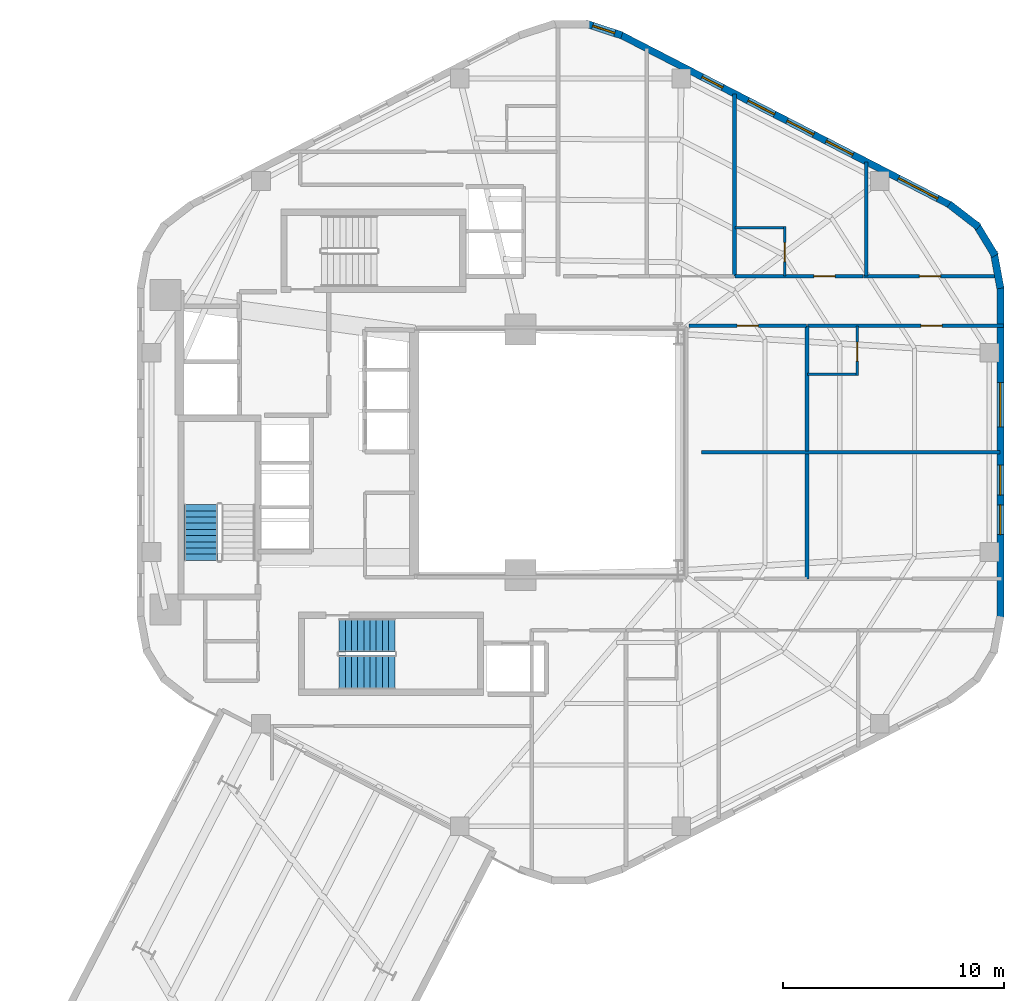
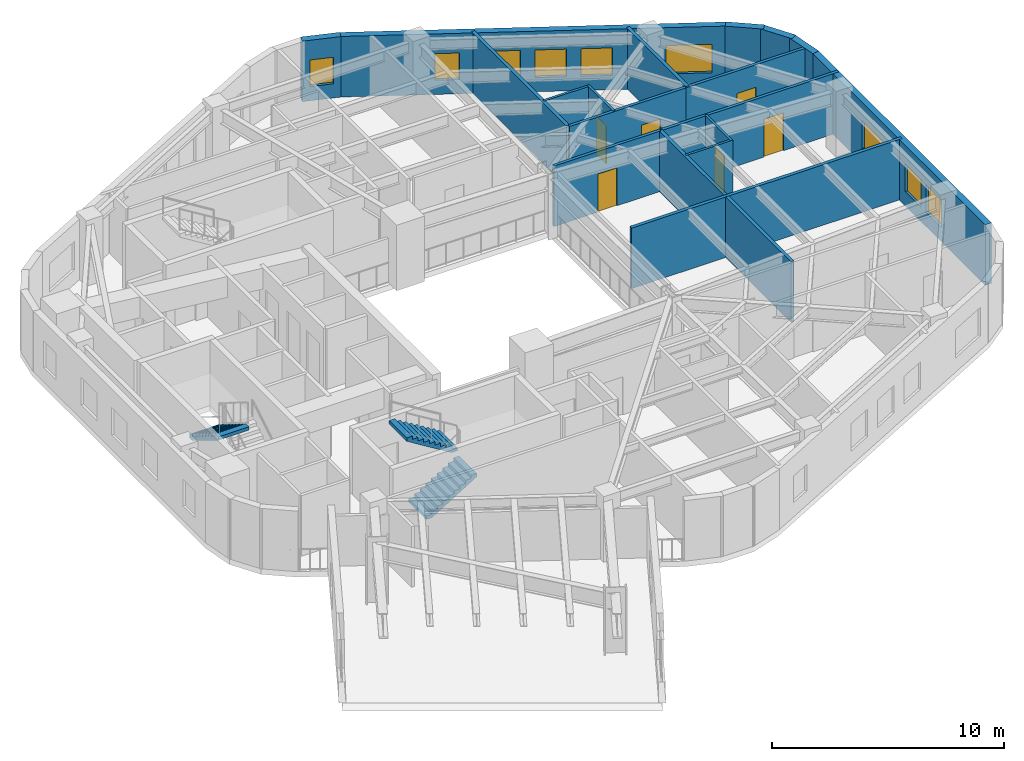
# One storey, part 8 of 10: 19 walls, 9 windows, 6 doors, 3 stair flights, 15 openings, 2 elements without a shape of their own.
"""IFC4 building model written with IfcOpenShell, lengths in metres."""

from ifc_helpers import new_model, si_unit, direction, frame, frame_2d, origin, place, context, subcontext, project, spatial, polyline, rectangle, outline, extrude, material, layer, layer_set, type_object, element, fill, aggregate, save


model = new_model("IFC4")

# Units and contexts
model_context = context("Model", 3, precision=1e-05, world=origin(), true_north=direction((0.0, 1.0)))
body_context = subcontext(model_context, "Body", "Model", "MODEL_VIEW")
ifc_project = project(units=[si_unit("LENGTHUNIT", "METRE"), si_unit("AREAUNIT", "SQUARE_METRE"), si_unit("VOLUMEUNIT", "CUBIC_METRE"), si_unit("PLANEANGLEUNIT", "RADIAN"), si_unit("MASSUNIT", "GRAM", prefix="KILO"), si_unit("THERMODYNAMICTEMPERATUREUNIT", "KELVIN"), si_unit("POWERUNIT", "WATT")], contexts=[model_context])

# Site, building, storey
site_placement = place(None, origin())
site = spatial("IfcSite", under=ifc_project, at=site_placement, CompositionType="ELEMENT")
building_placement = place(site_placement, origin())
building = spatial("IfcBuilding", under=site, at=building_placement, Name="Skarre Station Tower", CompositionType="ELEMENT")
storey_placement = place(building_placement, frame((0.0, 0.0, 180.89990234375)))
storey = spatial("IfcBuildingStorey", under=building, at=storey_placement, Name="L49", CompositionType="ELEMENT", Elevation=180.89990234375)

# Wall, opening, door
ifc_material_1 = material(Name="Acoustic Steel-Stud Gypsum Partition", Category="steel")
ifc_layer_1 = layer(ifc_material_1, 0.14990234375, Name="Acoustic Steel-Stud Gypsum Partition")
ifc_layer_set_1 = layer_set([ifc_layer_1], Name="Acoustic Steel-Stud Gypsum Partition")
wall_type_1 = type_object("IfcWallType", Name="Fire-Rated Corridor Acoustic Partition 150", PredefinedType="PARTITIONING", material=ifc_layer_set_1)
wall_1_placement = place(storey_placement, frame((47.824951171875, 31.9599609375, 0.0), z_axis=(0.0, 0.0, 1.0), x_axis=(-1.0, 0.0, 0.0)))
wall_1 = element("IfcWall", 1, at=wall_1_placement, inside=storey, type_object=wall_type_1, Name="L49 Interior Partition WL-PT-L49-NW3-CW", PredefinedType="PARTITIONING", context=body_context, shape_type="SweptSolid", body=[
    extrude(rectangle(XDim=5.801025390625, YDim=0.14990234375, at=frame_2d((2.900390625, 0.0))), origin(), (0.0, 0.0, 1.0), 3.190185546875),
])
opening_1_placement = place(wall_1_placement, frame((1.263916015625, 0.0, 0.0)))
opening_1 = element("IfcOpeningElement", 2, at=opening_1_placement, cuts=wall_1, Name="Opening DR-FD60", PredefinedType="OPENING", context=body_context, shape_type="SweptSolid", body=[
    extrude(rectangle(XDim=0.9599609375, YDim=2.0, at=frame_2d((0.47998046875, 1.0))), frame((0.0, 0.0849609375, 0.0), z_axis=(0.0, -1.0, 0.0), x_axis=(1.0, 0.0, 0.0)), (0.0, 0.0, 1.0), 0.169921875),
])
ifc_material_2 = material(Name="Nordic White-Oak Veneer Solid-Core Fire Leaf", Category="wood")
door_type_1 = type_object("IfcDoorType", Name="Corridor Suite Entry Fire Door FD60 960x2150", OperationType="SINGLE_SWING_LEFT", PredefinedType="DOOR", material=ifc_material_2)
door_1_placement = place(opening_1_placement, origin())
door_1 = element("IfcDoor", 3, at=door_1_placement, inside=storey, type_object=door_type_1, Name="L49 NW3 Entry Door", OperationType="SINGLE_SWING_LEFT", OverallHeight=2.0, OverallWidth=0.9599609375, PredefinedType="DOOR", context=body_context, shape_type="SweptSolid", body=[
    extrude(rectangle(XDim=0.9599609375, YDim=2.0, at=frame_2d((0.47998046875, 1.0))), frame((0.0, 0.02490234375, 0.0), z_axis=(0.0, -1.0, 0.0), x_axis=(1.0, 0.0, 0.0)), (0.0, 0.0, 1.0), 0.050048828125),
])
fill(opening_1, door_1)

wall_2_placement = place(storey_placement, frame((53.969970703125, 31.9599609375, 0.0), z_axis=(0.0, 0.0, 1.0), x_axis=(-1.0, 0.0, 0.0)))
wall_2 = element("IfcWall", 4, at=wall_2_placement, inside=storey, type_object=wall_type_1, Name="L49 Interior Partition WL-PT-L49-NW4-CW", PredefinedType="PARTITIONING", context=body_context, shape_type="SweptSolid", body=[
    extrude(rectangle(XDim=6.135009765625, YDim=0.14990234375, at=frame_2d((3.0673828125, 0.0))), origin(), (0.0, 0.0, 1.0), 3.190185546875),
])
opening_2_placement = place(wall_2_placement, frame((2.64404296875, 0.0, 0.0)))
opening_2 = element("IfcOpeningElement", 5, at=opening_2_placement, cuts=wall_2, Name="Opening DR-FD60", PredefinedType="OPENING", context=body_context, shape_type="SweptSolid", body=[
    extrude(rectangle(XDim=0.9599609375, YDim=2.0, at=frame_2d((0.47998046875, 1.0))), frame((0.0, 0.0849609375, 0.0), z_axis=(0.0, -1.0, 0.0), x_axis=(1.0, 0.0, 0.0)), (0.0, 0.0, 1.0), 0.169921875),
])
door_2_placement = place(opening_2_placement, origin())
door_2 = element("IfcDoor", 6, at=door_2_placement, inside=storey, type_object=door_type_1, Name="L49 NW4 Entry Door", OperationType="SINGLE_SWING_LEFT", OverallHeight=2.0, OverallWidth=0.9599609375, PredefinedType="DOOR", context=body_context, shape_type="SweptSolid", body=[
    extrude(rectangle(XDim=0.9599609375, YDim=2.0, at=frame_2d((0.47998046875, 1.0))), frame((0.0, 0.02490234375, 0.0), z_axis=(0.0, -1.0, 0.0), x_axis=(1.0, 0.0, 0.0)), (0.0, 0.0, 1.0), 0.050048828125),
])
fill(opening_2, door_2)

wall_3_placement = place(storey_placement, frame((39.949951171875, 29.7099609375, 0.0), z_axis=(0.0, 0.0, 1.0), x_axis=(1.0, 0.0, 0.0)))
wall_3 = element("IfcWall", 7, at=wall_3_placement, inside=storey, type_object=wall_type_1, Name="L49 Interior Partition WL-PT-L49-EWN1-CW", PredefinedType="PARTITIONING", context=body_context, shape_type="SweptSolid", body=[
    extrude(rectangle(XDim=5.321044921875, YDim=0.14990234375, at=frame_2d((2.66064453125, 0.0))), origin(), (0.0, 0.0, 1.0), 3.190185546875),
])
opening_3_placement = place(wall_3_placement, frame((2.179931640625, 0.0, 0.0)))
opening_3 = element("IfcOpeningElement", 8, at=opening_3_placement, cuts=wall_3, Name="Opening DR-FD60", PredefinedType="OPENING", context=body_context, shape_type="SweptSolid", body=[
    extrude(rectangle(XDim=0.9599609375, YDim=2.0, at=frame_2d((0.47998046875, 1.0))), frame((0.0, 0.0849609375, 0.0), z_axis=(0.0, -1.0, 0.0), x_axis=(1.0, 0.0, 0.0)), (0.0, 0.0, 1.0), 0.169921875),
])
door_3_placement = place(opening_3_placement, origin())
door_3 = element("IfcDoor", 9, at=door_3_placement, inside=storey, type_object=door_type_1, Name="L49 EWN1 Entry Door", OperationType="SINGLE_SWING_LEFT", OverallHeight=2.0, OverallWidth=0.9599609375, PredefinedType="DOOR", context=body_context, shape_type="SweptSolid", body=[
    extrude(rectangle(XDim=0.9599609375, YDim=2.0, at=frame_2d((0.47998046875, 1.0))), frame((0.0, 0.02490234375, 0.0), z_axis=(0.0, -1.0, 0.0), x_axis=(1.0, 0.0, 0.0)), (0.0, 0.0, 1.0), 0.050048828125),
])
fill(opening_3, door_3)

wall_4_placement = place(storey_placement, frame((45.301025390625, 29.7099609375, 0.0), z_axis=(0.0, 0.0, 1.0), x_axis=(1.0, 0.0, 0.0)))
wall_4 = element("IfcWall", 10, at=wall_4_placement, inside=storey, type_object=wall_type_1, Name="L49 Interior Partition WL-PT-L49-EWN2-CW", PredefinedType="PARTITIONING", context=body_context, shape_type="SweptSolid", body=[
    extrude(rectangle(XDim=8.861083984375, YDim=0.14990234375, at=frame_2d((4.4306640625, 0.0))), origin(), (0.0, 0.0, 1.0), 3.190185546875),
])
opening_4_placement = place(wall_4_placement, frame((5.125, 0.0, 0.0)))
opening_4 = element("IfcOpeningElement", 11, at=opening_4_placement, cuts=wall_4, Name="Opening DR-FD60", PredefinedType="OPENING", context=body_context, shape_type="SweptSolid", body=[
    extrude(rectangle(XDim=0.9599609375, YDim=2.0, at=frame_2d((0.47998046875, 1.0))), frame((0.0, 0.0849609375, 0.0), z_axis=(0.0, -1.0, 0.0), x_axis=(1.0, 0.0, 0.0)), (0.0, 0.0, 1.0), 0.169921875),
])
door_4_placement = place(opening_4_placement, origin())
door_4 = element("IfcDoor", 12, at=door_4_placement, inside=storey, type_object=door_type_1, Name="L49 EWN2 Entry Door", OperationType="SINGLE_SWING_LEFT", OverallHeight=2.0, OverallWidth=0.9599609375, PredefinedType="DOOR", context=body_context, shape_type="SweptSolid", body=[
    extrude(rectangle(XDim=0.9599609375, YDim=2.0, at=frame_2d((0.47998046875, 1.0))), frame((0.0, 0.02490234375, 0.0), z_axis=(0.0, -1.0, 0.0), x_axis=(1.0, 0.0, 0.0)), (0.0, 0.0, 1.0), 0.050048828125),
])
fill(opening_4, door_4)

ifc_material_3 = material(Name="Insulated Timber-Stud Gypsum Partition", Category="wood")
ifc_layer_2 = layer(ifc_material_3, 0.1201171875, Name="Insulated Timber-Stud Gypsum Partition")
ifc_layer_set_2 = layer_set([ifc_layer_2], Name="Insulated Timber-Stud Gypsum Partition")
wall_type_2 = type_object("IfcWallType", Name="Internal Suite Acoustic Partition 120", PredefinedType="PARTITIONING", material=ifc_layer_set_2)
wall_5_placement = place(storey_placement, frame((44.283935546875, 31.9599609375, 0.0), z_axis=(0.0, 0.0, 1.0), x_axis=(0.0, 1.0, 0.0)))
wall_5 = element("IfcWall", 13, at=wall_5_placement, inside=storey, type_object=wall_type_2, Name="L49 Interior Partition WL-PT-L49-NW3-EW2", PredefinedType="PARTITIONING", context=body_context, shape_type="SweptSolid", body=[
    extrude(rectangle(XDim=2.239990234375, YDim=0.1201171875, at=frame_2d((1.1201171875, 0.0))), origin(), (0.0, 0.0, 1.0), 3.190185546875),
])
opening_5_placement = place(wall_5_placement, frame((0.64990234375, 0.0, 0.0)))
opening_5 = element("IfcOpeningElement", 14, at=opening_5_placement, cuts=wall_5, Name="Opening DR-INT86", PredefinedType="OPENING", context=body_context, shape_type="SweptSolid", body=[
    extrude(rectangle(XDim=0.860107421875, YDim=2.0, at=frame_2d((0.43017578125, 1.0))), frame((0.0, 0.070068359375, 0.0), z_axis=(0.0, -1.0, 0.0), x_axis=(1.0, 0.0, 0.0)), (0.0, 0.0, 1.0), 0.14013671875),
])
ifc_material_4 = material(Name="Nordic Birch Acoustic Solid-Core Timber Leaf", Category="wood")
door_type_2 = type_object("IfcDoorType", Name="Internal En-Suite & Bedroom Door 860x2100", OperationType="SINGLE_SWING_LEFT", PredefinedType="DOOR", material=ifc_material_4)
door_5_placement = place(opening_5_placement, origin())
door_5 = element("IfcDoor", 15, at=door_5_placement, inside=storey, type_object=door_type_2, Name="L49 NW3 En-suite Door", OperationType="SINGLE_SWING_LEFT", OverallHeight=2.0, OverallWidth=0.860107421875, PredefinedType="DOOR", context=body_context, shape_type="SweptSolid", body=[
    extrude(rectangle(XDim=0.860107421875, YDim=2.0, at=frame_2d((0.43017578125, 1.0))), frame((0.0, 0.02490234375, 0.0), z_axis=(0.0, -1.0, 0.0), x_axis=(1.0, 0.0, 0.0)), (0.0, 0.0, 1.0), 0.050048828125),
])
fill(opening_5, door_5)

# Wall
wall_6_placement = place(storey_placement, frame((44.343994140625, 34.139892578125, 0.0), z_axis=(0.0, 0.0, 1.0), x_axis=(-1.0, 0.0, 0.0)))
element("IfcWall", 16, at=wall_6_placement, inside=storey, type_object=wall_type_2, Name="L49 Interior Partition WL-PT-L49-NW3-EW3", PredefinedType="PARTITIONING", context=body_context, shape_type="SweptSolid", body=[
    extrude(rectangle(XDim=2.320068359375, YDim=0.1201171875, at=frame_2d((1.16015625, 0.0))), origin(), (0.0, 0.0, 1.0), 3.190185546875),
])

# Wall, opening, door
wall_7_placement = place(storey_placement, frame((47.56103515625, 27.469970703125, 0.0), z_axis=(0.0, 0.0, 1.0), x_axis=(0.0, 1.0, 0.0)))
wall_7 = element("IfcWall", 17, at=wall_7_placement, inside=storey, type_object=wall_type_2, Name="L49 Interior Partition WL-PT-L49-EWN2-EW2", PredefinedType="PARTITIONING", context=body_context, shape_type="SweptSolid", body=[
    extrude(rectangle(XDim=2.239990234375, YDim=0.1201171875, at=frame_2d((1.1201171875, 0.0))), origin(), (0.0, 0.0, 1.0), 3.190185546875),
])
opening_6_placement = place(wall_7_placement, frame((0.64990234375, 0.0, 0.0)))
opening_6 = element("IfcOpeningElement", 18, at=opening_6_placement, cuts=wall_7, Name="Opening DR-INT86", PredefinedType="OPENING", context=body_context, shape_type="SweptSolid", body=[
    extrude(rectangle(XDim=0.860107421875, YDim=2.0, at=frame_2d((0.43017578125, 1.0))), frame((0.0, 0.070068359375, 0.0), z_axis=(0.0, -1.0, 0.0), x_axis=(1.0, 0.0, 0.0)), (0.0, 0.0, 1.0), 0.14013671875),
])
door_6_placement = place(opening_6_placement, origin())
door_6 = element("IfcDoor", 19, at=door_6_placement, inside=storey, type_object=door_type_2, Name="L49 EWN2 En-suite Door", OperationType="SINGLE_SWING_RIGHT", OverallHeight=2.0, OverallWidth=0.860107421875, PredefinedType="DOOR", context=body_context, shape_type="SweptSolid", body=[
    extrude(rectangle(XDim=0.860107421875, YDim=2.0, at=frame_2d((0.43017578125, 1.0))), frame((0.0, 0.02490234375, 0.0), z_axis=(0.0, -1.0, 0.0), x_axis=(1.0, 0.0, 0.0)), (0.0, 0.0, 1.0), 0.050048828125),
])
fill(opening_6, door_6)

# Walls
wall_8_placement = place(storey_placement, frame((45.301025390625, 27.530029296875, 0.0), z_axis=(0.0, 0.0, 1.0), x_axis=(1.0, 0.0, 0.0)))
element("IfcWall", 20, at=wall_8_placement, inside=storey, type_object=wall_type_2, Name="L49 Interior Partition WL-PT-L49-EWN2-EW1", PredefinedType="PARTITIONING", context=body_context, shape_type="SweptSolid", body=[
    extrude(rectangle(XDim=2.320068359375, YDim=0.1201171875, at=frame_2d((1.16015625, 0.0))), origin(), (0.0, 0.0, 1.0), 3.190185546875),
])
ifc_material_5 = material(Name="Precast concrete C45/55", Category="concrete")
ifc_layer_3 = layer(ifc_material_5, 0.330078125, Name="Precast concrete C45/55")
ifc_layer_set_3 = layer_set([ifc_layer_3], Name="Precast concrete C45/55")
wall_type_3 = type_object("IfcWallType", Name="Nordic Rounded Corner Precast Wall 330", PredefinedType="STANDARD", material=ifc_layer_set_3)
wall_9_placement = place(storey_placement, frame((51.7109375, 35.199951171875, 0.0), z_axis=(0.0, 0.0, 1.0), x_axis=(0.791464279355, -0.611215423976, 0.0)))
element("IfcWall", 21, at=wall_9_placement, inside=storey, type_object=wall_type_3, Name="L49 Rounded Corner Precast Wall F0-1", PredefinedType="STANDARD", context=body_context, shape_type="SweptSolid", body=[
    extrude(rectangle(XDim=1.6767578125, YDim=0.330078125, at=frame_2d((0.83837890625, 0.0))), origin(), (0.0, 0.0, 1.0), 3.190185546875),
])
wall_10_placement = place(storey_placement, frame((52.912109375, 34.31494140625, 0.0), z_axis=(0.0, 0.0, 1.0), x_axis=(0.520219286058, -0.85403272444, 0.0)))
element("IfcWall", 22, at=wall_10_placement, inside=storey, type_object=wall_type_3, Name="L49 Rounded Corner Precast Wall F0-2", PredefinedType="STANDARD", context=body_context, shape_type="SweptSolid", body=[
    extrude(rectangle(XDim=1.677734375, YDim=0.330078125, at=frame_2d((0.8388671875, 0.0))), origin(), (0.0, 0.0, 1.0), 3.190185546875),
])
wall_11_placement = place(storey_placement, frame((53.718017578125, 33.056884765625, 0.0), z_axis=(0.0, 0.0, 1.0), x_axis=(0.180717642671, -0.983535019014, 0.0)))
element("IfcWall", 23, at=wall_11_placement, inside=storey, type_object=wall_type_3, Name="L49 Rounded Corner Precast Wall F0-3", PredefinedType="STANDARD", context=body_context, shape_type="SweptSolid", body=[
    extrude(rectangle(XDim=1.676513671875, YDim=0.330078125, at=frame_2d((0.83837890625, 0.0))), origin(), (0.0, 0.0, 1.0), 3.190185546875),
])

# Wall, opening, window
wall_12_placement = place(storey_placement, frame((35.282958984375, 43.3701171875, 0.0), z_axis=(0.0, 0.0, 1.0), x_axis=(0.949937416267, -0.312440242569, 0.0)))
wall_12 = element("IfcWall", 24, at=wall_12_placement, inside=storey, type_object=wall_type_3, Name="L49 Rounded Corner Precast Wall F1-3", PredefinedType="STANDARD", context=body_context, shape_type="SweptSolid", body=[
    extrude(rectangle(XDim=1.72216796875, YDim=0.330078125, at=frame_2d((0.861083984375, 0.0))), origin(), (0.0, 0.0, 1.0), 3.190185546875),
])
opening_7_placement = place(wall_12_placement, frame((0.3359375, 0.0, 0.75)))
opening_7 = element("IfcOpeningElement", 25, at=opening_7_placement, cuts=wall_12, Name="Opening WN-SLT", PredefinedType="OPENING", context=body_context, shape_type="SweptSolid", body=[
    extrude(rectangle(XDim=1.050048828125, YDim=1.39990234375, at=frame_2d((0.52490234375, 0.699951171875))), frame((0.0, 0.175048828125, 0.0), z_axis=(0.0, -1.0, 0.0), x_axis=(1.0, 0.0, 0.0)), (0.0, 0.0, 1.0), 0.35009765625),
])
ifc_material_6 = material(Name="Low-Iron Triple Glazing with Bronze Anodized Frame", Category="glass")
window_type_1 = type_object("IfcWindowType", Name="Nordic Corner Slot Window 1050x1400", PartitioningType="SINGLE_PANEL", PredefinedType="WINDOW", material=ifc_material_6)
window_1_placement = place(opening_7_placement, origin())
window_1 = element("IfcWindow", 26, at=window_1_placement, inside=storey, type_object=window_type_1, Name="L49 Apex Corner Slot Window F1-3", OverallHeight=1.39990234375, OverallWidth=1.050048828125, PartitioningType="SINGLE_PANEL", PredefinedType="WINDOW", context=body_context, shape_type="SweptSolid", body=[
    extrude(rectangle(XDim=1.050048828125, YDim=1.39990234375, at=frame_2d((0.52490234375, 0.699951171875))), frame((0.0, 0.030029296875, 0.0), z_axis=(0.0, -1.0, 0.0), x_axis=(1.0, 0.0, 0.0)), (0.0, 0.0, 1.0), 0.06005859375),
])
fill(opening_7, window_1)

# Wall, openings, windows
ifc_layer_4 = layer(ifc_material_5, 0.31005859375, Name="Precast concrete C45/55")
ifc_layer_set_4 = layer_set([ifc_layer_4], Name="Precast concrete C45/55")
wall_type_4 = type_object("IfcWallType", Name="Nordic Upper-Zone Precast Facet Wall 310", PredefinedType="STANDARD", material=ifc_layer_set_4)
wall_13_placement = place(storey_placement, frame((36.837890625, 42.87109375, 0.0), z_axis=(0.0, 0.0, 1.0), x_axis=(0.888626188278, -0.458632202867, 0.0)))
wall_13 = element("IfcWall", 27, at=wall_13_placement, inside=storey, type_object=wall_type_4, Name="L49 Facet 0 Nordic Precast Masonry Wall", PredefinedType="STANDARD", context=body_context, shape_type="SweptSolid", body=[
    extrude(rectangle(XDim=16.828369140625, YDim=0.31005859375, at=frame_2d((8.4140625, 0.0))), origin(), (0.0, 0.0, 1.0), 3.190185546875),
])
opening_8_placement = place(wall_13_placement, frame((4.172119140625, 0.0, 0.75)))
opening_8 = element("IfcOpeningElement", 28, at=opening_8_placement, cuts=wall_13, Name="Opening WN-SLT", PredefinedType="OPENING", context=body_context, shape_type="SweptSolid", body=[
    extrude(rectangle(XDim=1.050048828125, YDim=1.39990234375, at=frame_2d((0.52490234375, 0.699951171875))), frame((0.0, 0.1650390625, 0.0), z_axis=(0.0, -1.0, 0.0), x_axis=(1.0, 0.0, 0.0)), (0.0, 0.0, 1.0), 0.330078125),
])
opening_9_placement = place(wall_13_placement, frame((6.508056640625, 0.0, 0.75)))
opening_9 = element("IfcOpeningElement", 29, at=opening_9_placement, cuts=wall_13, Name="Opening WN-Z3B", PredefinedType="OPENING", context=body_context, shape_type="SweptSolid", body=[
    extrude(rectangle(XDim=1.35009765625, YDim=1.449951171875, at=frame_2d((0.675048828125, 0.72509765625))), frame((0.0, 0.1650390625, 0.0), z_axis=(0.0, -1.0, 0.0), x_axis=(1.0, 0.0, 0.0)), (0.0, 0.0, 1.0), 0.330078125),
])
opening_10_placement = place(wall_13_placement, frame((8.4970703125, 0.0, 0.75)))
opening_10 = element("IfcOpeningElement", 30, at=opening_10_placement, cuts=wall_13, Name="Opening WN-Z3B", PredefinedType="OPENING", context=body_context, shape_type="SweptSolid", body=[
    extrude(rectangle(XDim=1.35009765625, YDim=1.449951171875, at=frame_2d((0.675048828125, 0.72509765625))), frame((0.0, 0.1650390625, 0.0), z_axis=(0.0, -1.0, 0.0), x_axis=(1.0, 0.0, 0.0)), (0.0, 0.0, 1.0), 0.330078125),
])
opening_11_placement = place(wall_13_placement, frame((10.486083984375, 0.0, 0.75)))
opening_11 = element("IfcOpeningElement", 31, at=opening_11_placement, cuts=wall_13, Name="Opening WN-Z3B", PredefinedType="OPENING", context=body_context, shape_type="SweptSolid", body=[
    extrude(rectangle(XDim=1.35009765625, YDim=1.449951171875, at=frame_2d((0.675048828125, 0.72509765625))), frame((0.0, 0.1650390625, 0.0), z_axis=(0.0, -1.0, 0.0), x_axis=(1.0, 0.0, 0.0)), (0.0, 0.0, 1.0), 0.330078125),
])
opening_12_placement = place(wall_13_placement, frame((14.153076171875, 0.0, 0.75)))
opening_12 = element("IfcOpeningElement", 32, at=opening_12_placement, cuts=wall_13, Name="Opening WN-Z3A", PredefinedType="OPENING", context=body_context, shape_type="SweptSolid", body=[
    extrude(rectangle(XDim=2.0, YDim=1.5, at=frame_2d((1.0, 0.75))), frame((0.0, 0.1650390625, 0.0), z_axis=(0.0, -1.0, 0.0), x_axis=(1.0, 0.0, 0.0)), (0.0, 0.0, 1.0), 0.330078125),
])
window_2_placement = place(opening_8_placement, origin())
window_2 = element("IfcWindow", 33, at=window_2_placement, inside=storey, type_object=window_type_1, Name="L49 Facade Window WL-FAC-L49-F0-1", OverallHeight=1.39990234375, OverallWidth=1.050048828125, PartitioningType="SINGLE_PANEL", PredefinedType="WINDOW", context=body_context, shape_type="SweptSolid", body=[
    extrude(rectangle(XDim=1.050048828125, YDim=1.39990234375, at=frame_2d((0.52490234375, 0.699951171875))), frame((0.0, 0.030029296875, 0.0), z_axis=(0.0, -1.0, 0.0), x_axis=(1.0, 0.0, 0.0)), (0.0, 0.0, 1.0), 0.06005859375),
])
fill(opening_8, window_2)
window_type_2 = type_object("IfcWindowType", Name="Nordic Hospitality Narrow Window 1350x1450", PartitioningType="SINGLE_PANEL", PredefinedType="WINDOW", material=ifc_material_6)
window_3_placement = place(opening_9_placement, origin())
window_3 = element("IfcWindow", 34, at=window_3_placement, inside=storey, type_object=window_type_2, Name="L49 Facade Window WL-FAC-L49-F0-2", OverallHeight=1.449951171875, OverallWidth=1.35009765625, PartitioningType="SINGLE_PANEL", PredefinedType="WINDOW", context=body_context, shape_type="SweptSolid", body=[
    extrude(rectangle(XDim=1.35009765625, YDim=1.449951171875, at=frame_2d((0.675048828125, 0.72509765625))), frame((0.0, 0.030029296875, 0.0), z_axis=(0.0, -1.0, 0.0), x_axis=(1.0, 0.0, 0.0)), (0.0, 0.0, 1.0), 0.06005859375),
])
fill(opening_9, window_3)
window_4_placement = place(opening_10_placement, origin())
window_4 = element("IfcWindow", 35, at=window_4_placement, inside=storey, type_object=window_type_2, Name="L49 Facade Window WL-FAC-L49-F0-3", OverallHeight=1.449951171875, OverallWidth=1.35009765625, PartitioningType="SINGLE_PANEL", PredefinedType="WINDOW", context=body_context, shape_type="SweptSolid", body=[
    extrude(rectangle(XDim=1.35009765625, YDim=1.449951171875, at=frame_2d((0.675048828125, 0.72509765625))), frame((0.0, 0.030029296875, 0.0), z_axis=(0.0, -1.0, 0.0), x_axis=(1.0, 0.0, 0.0)), (0.0, 0.0, 1.0), 0.06005859375),
])
fill(opening_10, window_4)
window_5_placement = place(opening_11_placement, origin())
window_5 = element("IfcWindow", 36, at=window_5_placement, inside=storey, type_object=window_type_2, Name="L49 Facade Window WL-FAC-L49-F0-4", OverallHeight=1.449951171875, OverallWidth=1.35009765625, PartitioningType="SINGLE_PANEL", PredefinedType="WINDOW", context=body_context, shape_type="SweptSolid", body=[
    extrude(rectangle(XDim=1.35009765625, YDim=1.449951171875, at=frame_2d((0.675048828125, 0.72509765625))), frame((0.0, 0.030029296875, 0.0), z_axis=(0.0, -1.0, 0.0), x_axis=(1.0, 0.0, 0.0)), (0.0, 0.0, 1.0), 0.06005859375),
])
fill(opening_11, window_5)
window_type_3 = type_object("IfcWindowType", Name="Nordic Hospitality Window 2000x1500", PartitioningType="SINGLE_PANEL", PredefinedType="WINDOW", material=ifc_material_6)
window_6_placement = place(opening_12_placement, origin())
window_6 = element("IfcWindow", 37, at=window_6_placement, inside=storey, type_object=window_type_3, Name="L49 Facade Window WL-FAC-L49-F0-5", OverallHeight=1.5, OverallWidth=2.0, PartitioningType="SINGLE_PANEL", PredefinedType="WINDOW", context=body_context, shape_type="SweptSolid", body=[
    extrude(rectangle(XDim=2.0, YDim=1.5, at=frame_2d((1.0, 0.75))), frame((0.0, 0.030029296875, 0.0), z_axis=(0.0, -1.0, 0.0), x_axis=(1.0, 0.0, 0.0)), (0.0, 0.0, 1.0), 0.06005859375),
])
fill(opening_12, window_6)

wall_14_placement = place(storey_placement, frame((54.01708984375, 31.501953125, 0.0), z_axis=(0.0, 0.0, 1.0), x_axis=(0.0, -1.0, 0.0)))
wall_14 = element("IfcWall", 38, at=wall_14_placement, inside=storey, type_object=wall_type_4, Name="L49 Facet 5 Nordic Precast Masonry Wall", PredefinedType="STANDARD", context=body_context, shape_type="SweptSolid", body=[
    extrude(rectangle(XDim=15.00390625, YDim=0.31005859375, at=frame_2d((7.501953125, 0.0))), origin(), (0.0, 0.0, 1.0), 3.190185546875),
])
opening_13_placement = place(wall_14_placement, frame((4.35302734375, 0.0, 0.75)))
opening_13 = element("IfcOpeningElement", 39, at=opening_13_placement, cuts=wall_14, Name="Opening WN-Z3A", PredefinedType="OPENING", context=body_context, shape_type="SweptSolid", body=[
    extrude(rectangle(XDim=2.0, YDim=1.5, at=frame_2d((1.0, 0.75))), frame((0.0, 0.1650390625, 0.0), z_axis=(0.0, -1.0, 0.0), x_axis=(1.0, 0.0, 0.0)), (0.0, 0.0, 1.0), 0.330078125),
])
opening_14_placement = place(wall_14_placement, frame((8.0830078125, 0.0, 0.75)))
opening_14 = element("IfcOpeningElement", 40, at=opening_14_placement, cuts=wall_14, Name="Opening WN-Z3B", PredefinedType="OPENING", context=body_context, shape_type="SweptSolid", body=[
    extrude(rectangle(XDim=1.35009765625, YDim=1.449951171875, at=frame_2d((0.675048828125, 0.72509765625))), frame((0.0, 0.1650390625, 0.0), z_axis=(0.0, -1.0, 0.0), x_axis=(1.0, 0.0, 0.0)), (0.0, 0.0, 1.0), 0.330078125),
])
opening_15_placement = place(wall_14_placement, frame((9.8701171875, 0.0, 0.75)))
opening_15 = element("IfcOpeningElement", 41, at=opening_15_placement, cuts=wall_14, Name="Opening WN-Z3B", PredefinedType="OPENING", context=body_context, shape_type="SweptSolid", body=[
    extrude(rectangle(XDim=1.35009765625, YDim=1.449951171875, at=frame_2d((0.675048828125, 0.72509765625))), frame((0.0, 0.1650390625, 0.0), z_axis=(0.0, -1.0, 0.0), x_axis=(1.0, 0.0, 0.0)), (0.0, 0.0, 1.0), 0.330078125),
])
window_7_placement = place(opening_14_placement, origin())
window_7 = element("IfcWindow", 42, at=window_7_placement, inside=storey, type_object=window_type_2, Name="L49 Facade Window WL-FAC-L49-F5-2", OverallHeight=1.449951171875, OverallWidth=1.35009765625, PartitioningType="SINGLE_PANEL", PredefinedType="WINDOW", context=body_context, shape_type="SweptSolid", body=[
    extrude(rectangle(XDim=1.35009765625, YDim=1.449951171875, at=frame_2d((0.675048828125, 0.72509765625))), frame((0.0, 0.030029296875, 0.0), z_axis=(0.0, -1.0, 0.0), x_axis=(1.0, 0.0, 0.0)), (0.0, 0.0, 1.0), 0.06005859375),
])
fill(opening_14, window_7)
window_8_placement = place(opening_15_placement, origin())
window_8 = element("IfcWindow", 43, at=window_8_placement, inside=storey, type_object=window_type_2, Name="L49 Facade Window WL-FAC-L49-F5-3", OverallHeight=1.449951171875, OverallWidth=1.35009765625, PartitioningType="SINGLE_PANEL", PredefinedType="WINDOW", context=body_context, shape_type="SweptSolid", body=[
    extrude(rectangle(XDim=1.35009765625, YDim=1.449951171875, at=frame_2d((0.675048828125, 0.72509765625))), frame((0.0, 0.030029296875, 0.0), z_axis=(0.0, -1.0, 0.0), x_axis=(1.0, 0.0, 0.0)), (0.0, 0.0, 1.0), 0.06005859375),
])
fill(opening_15, window_8)
window_9_placement = place(opening_13_placement, origin())
window_9 = element("IfcWindow", 44, at=window_9_placement, inside=storey, type_object=window_type_3, Name="L49 Facade Window WL-FAC-L49-F5-1", OverallHeight=1.5, OverallWidth=2.0, PartitioningType="SINGLE_PANEL", PredefinedType="WINDOW", context=body_context, shape_type="SweptSolid", body=[
    extrude(rectangle(XDim=2.0, YDim=1.5, at=frame_2d((1.0, 0.75))), frame((0.0, 0.030029296875, 0.0), z_axis=(0.0, -1.0, 0.0), x_axis=(1.0, 0.0, 0.0)), (0.0, 0.0, 1.0), 0.06005859375),
])
fill(opening_13, window_9)

# Walls
ifc_layer_5 = layer(ifc_material_1, 0.1650390625, Name="Acoustic Steel-Stud Gypsum Partition")
ifc_layer_set_5 = layer_set([ifc_layer_5], Name="Acoustic Steel-Stud Gypsum Partition")
wall_type_5 = type_object("IfcWallType", Name="Suite Demising Acoustic Partition 165", PredefinedType="PARTITIONING", material=ifc_layer_set_5)
wall_15_placement = place(storey_placement, frame((42.008056640625, 31.969970703125, 0.0), z_axis=(0.0, 0.0, 1.0), x_axis=(0.0, 1.0, 0.0)))
element("IfcWall", 45, at=wall_15_placement, inside=storey, type_object=wall_type_5, Name="L49 Interior Partition WL-PT-L49-NW-P2", PredefinedType="PARTITIONING", context=body_context, shape_type="SweptSolid", body=[
    extrude(rectangle(XDim=8.216064453125, YDim=0.1650390625, at=frame_2d((4.10791015625, 0.0))), origin(), (0.0, 0.0, 1.0), 3.190185546875),
])
wall_16_placement = place(storey_placement, frame((47.955078125, 31.969970703125, 0.0), z_axis=(0.0, 0.0, 1.0), x_axis=(0.0, 1.0, 0.0)))
element("IfcWall", 46, at=wall_16_placement, inside=storey, type_object=wall_type_5, Name="L49 Interior Partition WL-PT-L49-NW-P3", PredefinedType="PARTITIONING", context=body_context, shape_type="SweptSolid", body=[
    extrude(rectangle(XDim=5.14697265625, YDim=0.1650390625, at=frame_2d((2.573486328125, 0.0))), origin(), (0.0, 0.0, 1.0), 3.190185546875),
])
wall_17_placement = place(storey_placement, frame((40.52001953125, 24.0, 0.0), z_axis=(0.0, 0.0, 1.0), x_axis=(1.0, 0.0, 0.0)))
element("IfcWall", 47, at=wall_17_placement, inside=storey, type_object=wall_type_5, Name="L49 Interior Partition WL-PT-L49-EW-Z2MID", PredefinedType="PARTITIONING", context=body_context, shape_type="SweptSolid", body=[
    extrude(rectangle(XDim=13.48193359375, YDim=0.1650390625, at=frame_2d((6.740966796875, 0.0))), origin(), (0.0, 0.0, 1.0), 3.190185546875),
])
for number, where, z_axis, x_axis, name in (
    (48, (45.285888671875, 24.070068359375, 0.0), (0.0, 0.0, 1.0), (0.0, 1.0, 0.0), "L49 Interior Partition WL-PT-L49-EWN-P1"),
    (49, (45.285888671875, 18.2900390625, 0.0), (0.0, 0.0, 1.0), (0.0, 1.0, 0.0), "L49 Interior Partition WL-PT-L49-EWS-P1"),
):
    element("IfcWall", number, at=place(storey_placement, frame(where, z_axis=z_axis, x_axis=x_axis)), inside=storey, type_object=wall_type_5, Name=name, PredefinedType="PARTITIONING", context=body_context, shape_type="SweptSolid", body=[
        extrude(rectangle(XDim=5.639892578125, YDim=0.1650390625, at=frame_2d((2.81982421875, 0.0))), origin(), (0.0, 0.0, 1.0), 3.190185546875),
    ])

# Stair, stair flight
ifc_material_7 = material(Name="Concrete C40/50", Category="concrete")
stair_type_1 = type_object("IfcStairType", Name="Reinforced Concrete Exit Stair ST-1", PredefinedType="HALF_TURN_STAIR", material=ifc_material_7)
stair_1_placement = place(storey_placement, origin())
stair_1 = element("IfcStair", 50, at=stair_1_placement, inside=storey, type_object=stair_type_1, Name="L49 Core Exit Stair ST-1", PredefinedType="HALF_TURN_STAIR")
stair_flight_type_1 = type_object("IfcStairFlightType", Name="Reinforced Concrete Stair Flight ST-1", PredefinedType="STRAIGHT", material=ifc_material_7)
stair_flight_1_placement = place(storey_placement, frame((17.909912109375, 21.639892578125, 1.72509765625), z_axis=(0.0, 0.0, 1.0), x_axis=(0.0, -1.0, 0.0)))
stair_flight_1 = element("IfcStairFlight", 51, at=stair_flight_1_placement, type_object=stair_flight_type_1, Name="ST-1 flight 2", NumberOfRisers=10, NumberOfTreads=9, PredefinedType="STRAIGHT", RiserHeight=0.1725, TreadLength=0.28, context=body_context, shape_type="SweptSolid", body=[
    extrude(outline(polyline([(0.0, 0.0), (0.0, 0.172607421875), (0.280029296875, 0.172607421875), (0.280029296875, 0.344970703125), (0.56005859375, 0.344970703125), (0.56005859375, 0.517578125), (0.840087890625, 0.517578125), (0.840087890625, 0.68994140625), (1.1201171875, 0.68994140625), (1.1201171875, 0.862548828125), (1.39990234375, 0.862548828125), (1.39990234375, 1.034912109375), (1.679931640625, 1.034912109375), (1.679931640625, 1.20751953125), (1.9599609375, 1.20751953125), (1.9599609375, 1.3798828125), (2.239990234375, 1.3798828125), (2.239990234375, 1.552490234375), (2.52001953125, 1.552490234375), (2.52001953125, 1.72509765625), (2.52001953125, 1.37646484375), (0.285888671875, 0.0), (0.0, 0.0)])), frame((0.0, 0.760009765625, 0.0), z_axis=(0.0, -1.0, 0.0), x_axis=(1.0, 0.0, 0.0)), (0.0, 0.0, 1.0), 1.52001953125),
])
aggregate(stair_1, [stair_flight_1])

# Stair, stair flights
stair_type_2 = type_object("IfcStairType", Name="Reinforced Concrete Exit Stair ST-2", PredefinedType="HALF_TURN_STAIR", material=ifc_material_7)
stair_2_placement = place(storey_placement, origin())
stair_2 = element("IfcStair", 52, at=stair_2_placement, inside=storey, type_object=stair_type_2, Name="L49 Core Exit Stair ST-2", PredefinedType="HALF_TURN_STAIR")
stair_flight_type_2 = type_object("IfcStairFlightType", Name="Reinforced Concrete Stair Flight ST-2", PredefinedType="STRAIGHT", material=ifc_material_7)
stair_flight_2_placement = place(storey_placement, frame((24.14990234375, 14.06005859375, 0.0), z_axis=(0.0, 0.0, 1.0), x_axis=(1.0, 0.0, 0.0)))
stair_flight_2 = element("IfcStairFlight", 53, at=stair_flight_2_placement, type_object=stair_flight_type_2, Name="ST-2 flight 1", NumberOfRisers=10, NumberOfTreads=9, PredefinedType="STRAIGHT", RiserHeight=0.1725, TreadLength=0.28, context=body_context, shape_type="SweptSolid", body=[
    extrude(outline(polyline([(0.0, 0.0), (0.0, 0.172607421875), (0.280029296875, 0.172607421875), (0.280029296875, 0.344970703125), (0.56005859375, 0.344970703125), (0.56005859375, 0.517578125), (0.840087890625, 0.517578125), (0.840087890625, 0.68994140625), (1.1201171875, 0.68994140625), (1.1201171875, 0.862548828125), (1.39990234375, 0.862548828125), (1.39990234375, 1.034912109375), (1.679931640625, 1.034912109375), (1.679931640625, 1.20751953125), (1.9599609375, 1.20751953125), (1.9599609375, 1.3798828125), (2.239990234375, 1.3798828125), (2.239990234375, 1.552490234375), (2.52001953125, 1.552490234375), (2.52001953125, 1.72509765625), (2.52001953125, 1.37646484375), (0.285888671875, 0.0), (0.0, 0.0)])), frame((0.0, 0.760009765625, 0.0), z_axis=(0.0, -1.0, 0.0), x_axis=(1.0, 0.0, 0.0)), (0.0, 0.0, 1.0), 1.52001953125),
])
stair_flight_3_placement = place(storey_placement, frame((26.669921875, 15.739990234375, 1.72509765625), z_axis=(0.0, 0.0, 1.0), x_axis=(-1.0, 0.0, 0.0)))
stair_flight_3 = element("IfcStairFlight", 54, at=stair_flight_3_placement, type_object=stair_flight_type_2, Name="ST-2 flight 2", NumberOfRisers=10, NumberOfTreads=9, PredefinedType="STRAIGHT", RiserHeight=0.1725, TreadLength=0.28, context=body_context, shape_type="SweptSolid", body=[
    extrude(outline(polyline([(0.0, 0.0), (0.0, 0.172607421875), (0.280029296875, 0.172607421875), (0.280029296875, 0.344970703125), (0.56005859375, 0.344970703125), (0.56005859375, 0.517578125), (0.840087890625, 0.517578125), (0.840087890625, 0.68994140625), (1.1201171875, 0.68994140625), (1.1201171875, 0.862548828125), (1.39990234375, 0.862548828125), (1.39990234375, 1.034912109375), (1.679931640625, 1.034912109375), (1.679931640625, 1.20751953125), (1.9599609375, 1.20751953125), (1.9599609375, 1.3798828125), (2.239990234375, 1.3798828125), (2.239990234375, 1.552490234375), (2.52001953125, 1.552490234375), (2.52001953125, 1.72509765625), (2.52001953125, 1.37646484375), (0.285888671875, 0.0), (0.0, 0.0)])), frame((0.0, 0.760009765625, 0.0), z_axis=(0.0, -1.0, 0.0), x_axis=(1.0, 0.0, 0.0)), (0.0, 0.0, 1.0), 1.52001953125),
])
aggregate(stair_2, [stair_flight_2, stair_flight_3])

save(model, "model.ifc")
